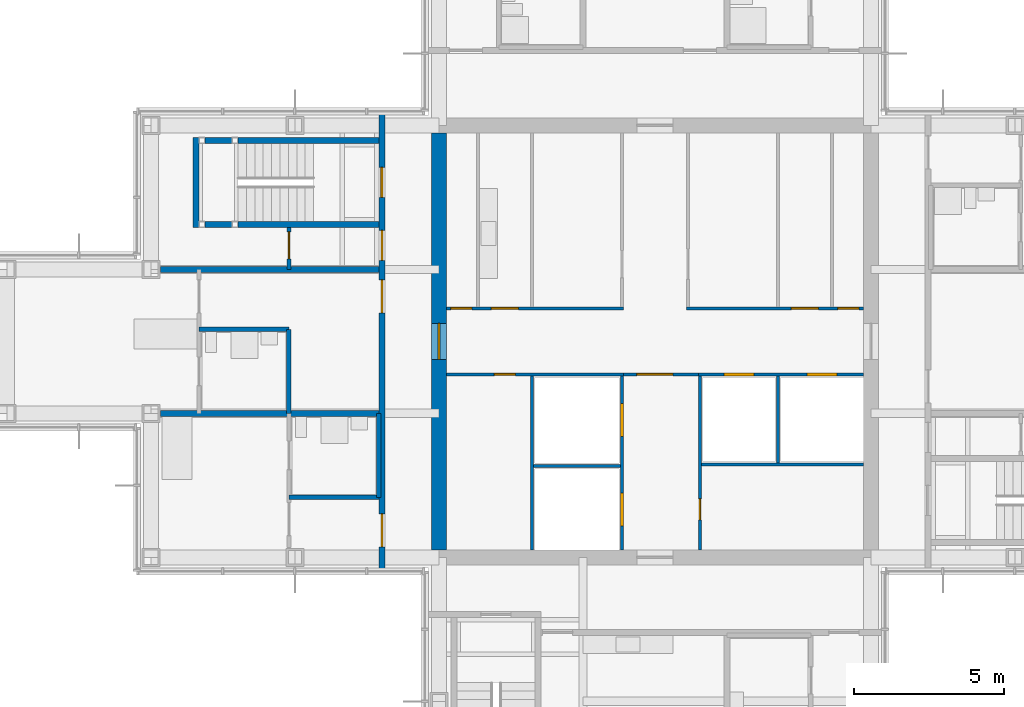
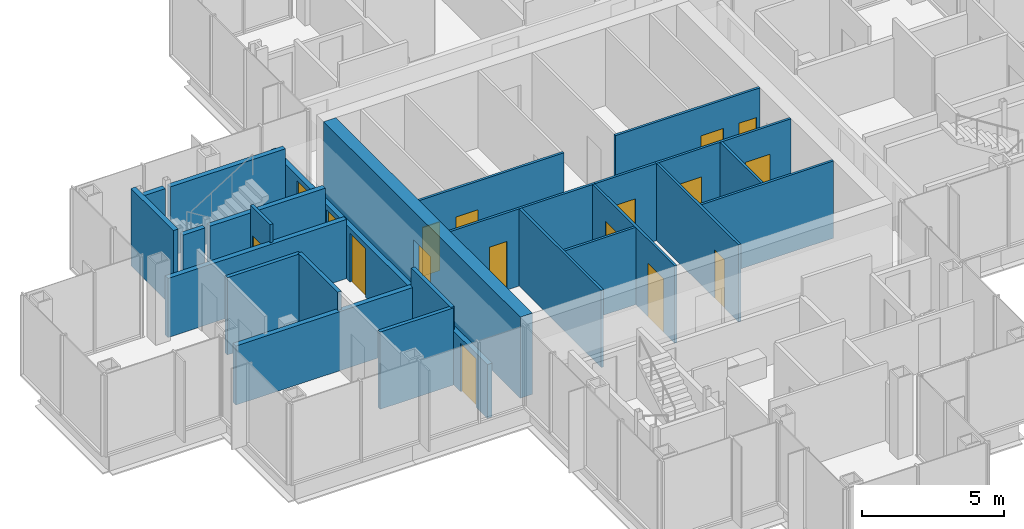
# One storey, part 12 of 17: 25 walls, 17 doors, 17 openings.
"""IFC4 building model written with IfcOpenShell, lengths in metres."""

from ifc_helpers import new_model, si_unit, direction, frame, frame_2d, origin, place, context, subcontext, project, spatial, rectangle, extrude, material, layer, layer_set, type_object, element, fill, save


model = new_model("IFC4")

# Units and contexts
model_context = context("Model", 3, precision=1e-05, world=origin(), true_north=direction((0.0, 1.0)))
body_context = subcontext(model_context, "Body", "Model", "MODEL_VIEW")
ifc_project = project(units=[si_unit("LENGTHUNIT", "METRE"), si_unit("AREAUNIT", "SQUARE_METRE"), si_unit("VOLUMEUNIT", "CUBIC_METRE"), si_unit("PLANEANGLEUNIT", "RADIAN"), si_unit("MASSUNIT", "GRAM", prefix="KILO")], contexts=[model_context])

# Site, building, storey
site_placement = place(None, origin())
site = spatial("IfcSite", under=ifc_project, at=site_placement, CompositionType="ELEMENT")
building_placement = place(site_placement, origin())
building = spatial("IfcBuilding", under=site, at=building_placement, Name="Kvirike Care Tower", CompositionType="ELEMENT")
storey_placement = place(building_placement, frame((0.0, 0.0, 151.5)))
storey = spatial("IfcBuildingStorey", under=building, at=storey_placement, Name="L41", CompositionType="ELEMENT", Elevation=151.5)

# Walls
ifc_material_1 = material(Name="Moisture-resistant board partition", Category="gypsum")
ifc_layer_1 = layer(ifc_material_1, 0.14990234375)
ifc_layer_set_1 = layer_set([ifc_layer_1], Name="BATHROOM WALL 150")
wall_type_1 = type_object("IfcWallType", Name="BATHROOM WALL 150", PredefinedType="PARTITIONING", material=ifc_layer_set_1)
wall_1_placement = place(storey_placement, frame((6.39990234375, 36.39990234375, 0.0), z_axis=(0.0, 0.0, 1.0), x_axis=(1.0, 0.0, 0.0)))
element("IfcWall", 1, at=wall_1_placement, inside=storey, type_object=wall_type_1, Name="Bathroom Wall 150 L41", PredefinedType="PARTITIONING", context=body_context, shape_type="SweptSolid", body=[
    extrude(rectangle(XDim=3.0, YDim=0.14990234375, at=frame_2d((1.5, 0.0))), origin(), (0.0, 0.0, 1.0), 3.330078125),
])
wall_2_placement = place(storey_placement, frame((9.39990234375, 36.39990234375, 0.0), z_axis=(0.0, 0.0, 1.0), x_axis=(0.0, -1.0, 0.0)))
element("IfcWall", 2, at=wall_2_placement, inside=storey, type_object=wall_type_1, Name="Bathroom Wall 150 L41", PredefinedType="PARTITIONING", context=body_context, shape_type="SweptSolid", body=[
    extrude(rectangle(XDim=2.7998046875, YDim=0.14990234375, at=frame_2d((1.39990234375, 0.0))), origin(), (0.0, 0.0, 1.0), 3.330078125),
])
wall_3_placement = place(storey_placement, frame((9.39990234375, 30.800048828125, 0.0), z_axis=(0.0, 0.0, 1.0), x_axis=(1.0, 0.0, 0.0)))
element("IfcWall", 3, at=wall_3_placement, inside=storey, type_object=wall_type_1, Name="Bathroom Wall 150 L41", PredefinedType="PARTITIONING", context=body_context, shape_type="SweptSolid", body=[
    extrude(rectangle(XDim=3.0, YDim=0.14990234375, at=frame_2d((1.5, 0.0))), origin(), (0.0, 0.0, 1.0), 3.330078125),
])
wall_4_placement = place(storey_placement, frame((12.39990234375, 33.60009765625, 0.0), z_axis=(0.0, 0.0, 1.0), x_axis=(0.0, -1.0, 0.0)))
element("IfcWall", 4, at=wall_4_placement, inside=storey, type_object=wall_type_1, Name="Bathroom Wall 150 L41", PredefinedType="PARTITIONING", context=body_context, shape_type="SweptSolid", body=[
    extrude(rectangle(XDim=2.800048828125, YDim=0.14990234375, at=frame_2d((1.39990234375, 0.0))), origin(), (0.0, 0.0, 1.0), 3.330078125),
])

# Wall, opening, door
ifc_material_2 = material(Name="Concrete C45/55", Category="concrete")
ifc_layer_2 = layer(ifc_material_2, 0.5)
ifc_layer_set_2 = layer_set([ifc_layer_2], Name="CORE WALL 500 C45-55")
wall_type_2 = type_object("IfcWallType", Name="CORE WALL 500 C45-55", PredefinedType="SHEAR", material=ifc_layer_set_2)
wall_5_placement = place(storey_placement, frame((14.39990234375, 42.949951171875, -0.169921875), z_axis=(0.0, 0.0, 1.0), x_axis=(0.0, -1.0, 0.0)))
wall_5 = element("IfcWall", 5, at=wall_5_placement, inside=storey, type_object=wall_type_2, Name="Core wall W L41", PredefinedType="SHEAR", context=body_context, shape_type="SweptSolid", body=[
    extrude(rectangle(XDim=13.89990234375, YDim=0.5, at=frame_2d((6.949951171875, 0.0))), origin(), (0.0, 0.0, 1.0), 3.5),
])
opening_1_placement = place(wall_5_placement, frame((6.35009765625, 0.0, 0.169921875)))
opening_1 = element("IfcOpeningElement", 6, at=opening_1_placement, cuts=wall_5, Name="Opening 41-049", PredefinedType="OPENING", context=body_context, shape_type="SweptSolid", body=[
    extrude(rectangle(XDim=1.199951171875, YDim=2.10009765625, at=frame_2d((0.60009765625, 1.050048828125))), frame((0.0, 0.260498046875, 0.0), z_axis=(0.0, -1.0, 0.0), x_axis=(1.0, 0.0, 0.0)), (0.0, 0.0, 1.0), 0.52099609375),
])
ifc_material_3 = material(Name="Timber door set", Category="wood")
door_type_1 = type_object("IfcDoorType", Name="CORE DOOR 1200", OperationType="SINGLE_SWING_LEFT", PredefinedType="DOOR", material=ifc_material_3)
door_1_placement = place(opening_1_placement, origin())
door_1 = element("IfcDoor", 7, at=door_1_placement, inside=storey, type_object=door_type_1, Name="Core door W L41", OperationType="SINGLE_SWING_LEFT", OverallHeight=2.10009765625, OverallWidth=1.199951171875, PredefinedType="DOOR", context=body_context, shape_type="SweptSolid", body=[
    extrude(rectangle(XDim=1.199951171875, YDim=2.10009765625, at=frame_2d((0.60009765625, 1.050048828125))), frame((0.0, 0.02685546875, 0.0), z_axis=(0.0, -1.0, 0.0), x_axis=(1.0, 0.0, 0.0)), (0.0, 0.0, 1.0), 0.053955078125),
])
fill(opening_1, door_1)

# Wall, openings, doors
ifc_material_4 = material(Name="Plasterboard corridor wall", Category="gypsum")
ifc_layer_3 = layer(ifc_material_4, 0.199951171875)
ifc_layer_set_3 = layer_set([ifc_layer_3], Name="CORRIDOR WALL 200")
wall_type_3 = type_object("IfcWallType", Name="CORRIDOR WALL 200", PredefinedType="PARTITIONING", material=ifc_layer_set_3)
wall_6_placement = place(storey_placement, frame((12.5, 43.64990234375, 0.0), z_axis=(0.0, 0.0, 1.0), x_axis=(0.0, -1.0, 0.0)))
wall_6 = element("IfcWall", 8, at=wall_6_placement, inside=storey, type_object=wall_type_3, Name="Corridor Wall 200 L41", PredefinedType="PARTITIONING", context=body_context, shape_type="SweptSolid", body=[
    extrude(rectangle(XDim=15.2998046875, YDim=0.199951171875, at=frame_2d((7.64990234375, 0.0))), origin(), (0.0, 0.0, 1.0), 2.320068359375),
])
opening_2_placement = place(wall_6_placement, frame((1.85009765625, 0.0, 0.0)))
opening_2 = element("IfcOpeningElement", 9, at=opening_2_placement, cuts=wall_6, Name="Opening 41-006", PredefinedType="OPENING", context=body_context, shape_type="SweptSolid", body=[
    extrude(rectangle(XDim=1.0, YDim=2.10009765625, at=frame_2d((0.5, 1.050048828125))), frame((0.0, 0.110595703125, 0.0), z_axis=(0.0, -1.0, 0.0), x_axis=(1.0, 0.0, 0.0)), (0.0, 0.0, 1.0), 0.220947265625),
])
opening_3_placement = place(wall_6_placement, frame((3.949951171875, 0.0, 0.0)))
opening_3 = element("IfcOpeningElement", 10, at=opening_3_placement, cuts=wall_6, Name="Opening 41-007", PredefinedType="OPENING", context=body_context, shape_type="SweptSolid", body=[
    extrude(rectangle(XDim=1.0, YDim=2.10009765625, at=frame_2d((0.5, 1.050048828125))), frame((0.0, 0.110595703125, 0.0), z_axis=(0.0, -1.0, 0.0), x_axis=(1.0, 0.0, 0.0)), (0.0, 0.0, 1.0), 0.220947265625),
])
opening_4_placement = place(wall_6_placement, frame((5.60009765625, 0.0, 0.0)))
opening_4 = element("IfcOpeningElement", 11, at=opening_4_placement, cuts=wall_6, Name="Opening 41-008", PredefinedType="OPENING", context=body_context, shape_type="SweptSolid", body=[
    extrude(rectangle(XDim=1.10009765625, YDim=2.10009765625, at=frame_2d((0.550048828125, 1.050048828125))), frame((0.0, 0.110595703125, 0.0), z_axis=(0.0, -1.0, 0.0), x_axis=(1.0, 0.0, 0.0)), (0.0, 0.0, 1.0), 0.220947265625),
])
opening_5_placement = place(wall_6_placement, frame((13.39990234375, 0.0, 0.0)))
opening_5 = element("IfcOpeningElement", 12, at=opening_5_placement, cuts=wall_6, Name="Opening 41-009", PredefinedType="OPENING", context=body_context, shape_type="SweptSolid", body=[
    extrude(rectangle(XDim=1.10009765625, YDim=2.10009765625, at=frame_2d((0.550048828125, 1.050048828125))), frame((0.0, 0.110595703125, 0.0), z_axis=(0.0, -1.0, 0.0), x_axis=(1.0, 0.0, 0.0)), (0.0, 0.0, 1.0), 0.220947265625),
])
ifc_material_5 = material(Name="Timber door set", Category="wood")
door_type_2 = type_object("IfcDoorType", Name="BEDROOM ENTRANCE DOOR 1100", OperationType="SINGLE_SWING_LEFT", PredefinedType="DOOR", material=ifc_material_5)
door_2_placement = place(opening_4_placement, frame((1.10009765625, 0.0, 0.0), z_axis=(0.0, 0.0, 1.0), x_axis=(-1.0, 0.0, 0.0)))
door_2 = element("IfcDoor", 13, at=door_2_placement, inside=storey, type_object=door_type_2, Name="Memory care bedroom entrance", OperationType="SINGLE_SWING_LEFT", OverallHeight=2.10009765625, OverallWidth=1.10009765625, PredefinedType="DOOR", context=body_context, shape_type="SweptSolid", body=[
    extrude(rectangle(XDim=1.10009765625, YDim=2.10009765625, at=frame_2d((0.550048828125, 1.050048828125))), frame((0.0, 0.02685546875, 0.0), z_axis=(0.0, -1.0, 0.0), x_axis=(1.0, 0.0, 0.0)), (0.0, 0.0, 1.0), 0.053955078125),
])
fill(opening_4, door_2)
door_3_placement = place(opening_5_placement, frame((1.10009765625, 0.0, 0.0), z_axis=(0.0, 0.0, 1.0), x_axis=(-1.0, 0.0, 0.0)))
door_3 = element("IfcDoor", 14, at=door_3_placement, inside=storey, type_object=door_type_2, Name="Memory care bedroom entrance", OperationType="SINGLE_SWING_RIGHT", OverallHeight=2.10009765625, OverallWidth=1.10009765625, PredefinedType="DOOR", context=body_context, shape_type="SweptSolid", body=[
    extrude(rectangle(XDim=1.10009765625, YDim=2.10009765625, at=frame_2d((0.550048828125, 1.050048828125))), frame((0.0, 0.02685546875, 0.0), z_axis=(0.0, -1.0, 0.0), x_axis=(1.0, 0.0, 0.0)), (0.0, 0.0, 1.0), 0.053955078125),
])
fill(opening_5, door_3)
ifc_material_6 = material(Name="Timber door set", Category="wood")
door_type_3 = type_object("IfcDoorType", Name="FLAT ENTRANCE DOOR 1000", OperationType="SINGLE_SWING_LEFT", PredefinedType="DOOR", material=ifc_material_6)
door_4_placement = place(opening_3_placement, frame((1.0, 0.0, 0.0), z_axis=(0.0, 0.0, 1.0), x_axis=(-1.0, 0.0, 0.0)))
door_4 = element("IfcDoor", 15, at=door_4_placement, inside=storey, type_object=door_type_3, Name="Activity room entrance", OperationType="SINGLE_SWING_LEFT", OverallHeight=2.10009765625, OverallWidth=1.0, PredefinedType="DOOR", context=body_context, shape_type="SweptSolid", body=[
    extrude(rectangle(XDim=1.0, YDim=2.10009765625, at=frame_2d((0.5, 1.050048828125))), frame((0.0, 0.02685546875, 0.0), z_axis=(0.0, -1.0, 0.0), x_axis=(1.0, 0.0, 0.0)), (0.0, 0.0, 1.0), 0.053955078125),
])
fill(opening_3, door_4)
ifc_material_7 = material(Name="Timber door set", Category="wood")
door_type_4 = type_object("IfcDoorType", Name="STAIR DOOR 1000", OperationType="SINGLE_SWING_LEFT", PredefinedType="DOOR", material=ifc_material_7)
door_5_placement = place(opening_2_placement, frame((1.0, 0.0, 0.0), z_axis=(0.0, 0.0, 1.0), x_axis=(-1.0, 0.0, 0.0)))
door_5 = element("IfcDoor", 16, at=door_5_placement, inside=storey, type_object=door_type_4, Name="Stair 1 door", OperationType="SINGLE_SWING_RIGHT", OverallHeight=2.10009765625, OverallWidth=1.0, PredefinedType="DOOR", context=body_context, shape_type="SweptSolid", body=[
    extrude(rectangle(XDim=1.0, YDim=2.10009765625, at=frame_2d((0.5, 1.050048828125))), frame((0.0, 0.031982421875, 0.0), z_axis=(0.0, -1.0, 0.0), x_axis=(1.0, 0.0, 0.0)), (0.0, 0.0, 1.0), 0.06396484375),
])
fill(opening_2, door_5)

# Wall, opening, door
ifc_material_8 = material(Name="Plasterboard partition", Category="gypsum")
ifc_layer_4 = layer(ifc_material_8, 0.1201171875)
ifc_layer_set_4 = layer_set([ifc_layer_4], Name="PARTITION 120")
wall_type_4 = type_object("IfcWallType", Name="PARTITION 120", PredefinedType="PARTITIONING", material=ifc_layer_set_4)
wall_7_placement = place(storey_placement, frame((9.39990234375, 39.800048828125, 0.0), z_axis=(0.0, 0.0, 1.0), x_axis=(0.0, -1.0, 0.0)))
wall_7 = element("IfcWall", 17, at=wall_7_placement, inside=storey, type_object=wall_type_4, Name="Partition 120 L41", PredefinedType="PARTITIONING", context=body_context, shape_type="SweptSolid", body=[
    extrude(rectangle(XDim=1.400146484375, YDim=0.1201171875, at=frame_2d((0.7001953125, 0.0))), origin(), (0.0, 0.0, 1.0), 3.330078125),
])
opening_6_placement = place(wall_7_placement, frame((0.14990234375, 0.0, 0.0)))
opening_6 = element("IfcOpeningElement", 18, at=opening_6_placement, cuts=wall_7, Name="Opening 41-001", PredefinedType="OPENING", context=body_context, shape_type="SweptSolid", body=[
    extrude(rectangle(XDim=0.89990234375, YDim=2.10009765625, at=frame_2d((0.449951171875, 1.050048828125))), frame((0.0, 0.070556640625, 0.0), z_axis=(0.0, -1.0, 0.0), x_axis=(1.0, 0.0, 0.0)), (0.0, 0.0, 1.0), 0.14111328125),
])
ifc_material_9 = material(Name="Timber door set", Category="wood")
door_type_5 = type_object("IfcDoorType", Name="INTERNAL DOOR 900", OperationType="SINGLE_SWING_LEFT", PredefinedType="DOOR", material=ifc_material_9)
door_6_placement = place(opening_6_placement, origin())
door_6 = element("IfcDoor", 19, at=door_6_placement, inside=storey, type_object=door_type_5, Name="Activity room door", OperationType="SINGLE_SWING_RIGHT", OverallHeight=2.10009765625, OverallWidth=0.89990234375, PredefinedType="DOOR", context=body_context, shape_type="SweptSolid", body=[
    extrude(rectangle(XDim=0.89990234375, YDim=2.10009765625, at=frame_2d((0.449951171875, 1.050048828125))), frame((0.0, 0.02197265625, 0.0), z_axis=(0.0, -1.0, 0.0), x_axis=(1.0, 0.0, 0.0)), (0.0, 0.0, 1.0), 0.0439453125),
])
fill(opening_6, door_6)

# Walls
ifc_material_10 = material(Name="Plasterboard party wall", Category="gypsum")
ifc_layer_5 = layer(ifc_material_10, 0.199951171875)
ifc_layer_set_5 = layer_set([ifc_layer_5], Name="PARTY WALL 200")
wall_type_5 = type_object("IfcWallType", Name="PARTY WALL 200", PredefinedType="PARTITIONING", material=ifc_layer_set_5)
for number, where, z_axis, x_axis, name in (
    (20, (5.1201171875, 38.39990234375, 0.0), (0.0, 0.0, 1.0), (1.0, 0.0, 0.0), "Party Wall 200 L41"),
    (21, (5.1201171875, 33.60009765625, 0.0), (0.0, 0.0, 1.0), (1.0, 0.0, 0.0), "Party Wall 200 L41"),
):
    element("IfcWall", number, at=place(storey_placement, frame(where, z_axis=z_axis, x_axis=x_axis)), inside=storey, type_object=wall_type_5, Name=name, PredefinedType="PARTITIONING", context=body_context, shape_type="SweptSolid", body=[
        extrude(rectangle(XDim=7.27978515625, YDim=0.199951171875, at=frame_2d((3.639892578125, 0.0))), origin(), (0.0, 0.0, 1.0), 2.550048828125),
    ])

# Wall, openings, doors
ifc_material_11 = material(Name="Gypsum shaft wall system", Category="gypsum")
ifc_layer_6 = layer(ifc_material_11, 0.10009765625)
ifc_layer_set_6 = layer_set([ifc_layer_6], Name="SHAFT WALL 100")
wall_type_6 = type_object("IfcWallType", Name="SHAFT WALL 100", PredefinedType="SOLIDWALL", material=ifc_layer_set_6)
wall_8_placement = place(storey_placement, frame((20.5, 29.050048828125, 0.0), z_axis=(0.0, 0.0, 1.0), x_axis=(0.0, 1.0, 0.0)))
wall_8 = element("IfcWall", 22, at=wall_8_placement, inside=storey, type_object=wall_type_6, Name="Shaft Wall 100 L41", PredefinedType="SOLIDWALL", context=body_context, shape_type="SweptSolid", body=[
    extrude(rectangle(XDim=5.800048828125, YDim=0.10009765625, at=frame_2d((2.89990234375, 0.0))), origin(), (0.0, 0.0, 1.0), 3.330078125),
])
opening_7_placement = place(wall_8_placement, frame((0.800048828125, 0.0, 0.0)))
opening_7 = element("IfcOpeningElement", 23, at=opening_7_placement, cuts=wall_8, Name="Opening 41-035", PredefinedType="OPENING", context=body_context, shape_type="SweptSolid", body=[
    extrude(rectangle(XDim=1.10009765625, YDim=2.300048828125, at=frame_2d((0.550048828125, 1.14990234375))), frame((0.0, 0.060546875, 0.0), z_axis=(0.0, -1.0, 0.0), x_axis=(1.0, 0.0, 0.0)), (0.0, 0.0, 1.0), 0.12109375),
])
opening_8_placement = place(wall_8_placement, frame((3.77490234375, 0.0, 0.0)))
opening_8 = element("IfcOpeningElement", 24, at=opening_8_placement, cuts=wall_8, Name="Opening 41-036", PredefinedType="OPENING", context=body_context, shape_type="SweptSolid", body=[
    extrude(rectangle(XDim=1.10009765625, YDim=2.300048828125, at=frame_2d((0.550048828125, 1.14990234375))), frame((0.0, 0.060546875, 0.0), z_axis=(0.0, -1.0, 0.0), x_axis=(1.0, 0.0, 0.0)), (0.0, 0.0, 1.0), 0.12109375),
])
ifc_material_12 = material(Name="Aluminium door frame", Category="aluminium")
door_type_6 = type_object("IfcDoorType", Name="FIRE-FIGHTING LIFT LANDING DOOR 1100", OperationType="SLIDING_TO_LEFT", PredefinedType="DOOR", material=ifc_material_12)
door_7_placement = place(opening_7_placement, origin())
door_7 = element("IfcDoor", 25, at=door_7_placement, inside=storey, type_object=door_type_6, Name="Lift FF1 landing door", OperationType="SLIDING_TO_LEFT", OverallHeight=2.300048828125, OverallWidth=1.10009765625, PredefinedType="DOOR", context=body_context, shape_type="SweptSolid", body=[
    extrude(rectangle(XDim=1.10009765625, YDim=2.300048828125, at=frame_2d((0.550048828125, 1.14990234375))), frame((0.0, 0.0498046875, 0.0), z_axis=(0.0, -1.0, 0.0), x_axis=(1.0, 0.0, 0.0)), (0.0, 0.0, 1.0), 0.099609375),
])
fill(opening_7, door_7)
door_8_placement = place(opening_8_placement, origin())
door_8 = element("IfcDoor", 26, at=door_8_placement, inside=storey, type_object=door_type_6, Name="Lift FF2 landing door", OperationType="SLIDING_TO_LEFT", OverallHeight=2.300048828125, OverallWidth=1.10009765625, PredefinedType="DOOR", context=body_context, shape_type="SweptSolid", body=[
    extrude(rectangle(XDim=1.10009765625, YDim=2.300048828125, at=frame_2d((0.550048828125, 1.14990234375))), frame((0.0, 0.0498046875, 0.0), z_axis=(0.0, -1.0, 0.0), x_axis=(1.0, 0.0, 0.0)), (0.0, 0.0, 1.0), 0.099609375),
])
fill(opening_8, door_8)

# Wall, opening, door
wall_9_placement = place(storey_placement, frame((23.10009765625, 29.050048828125, 0.0), z_axis=(0.0, 0.0, 1.0), x_axis=(0.0, 1.0, 0.0)))
wall_9 = element("IfcWall", 27, at=wall_9_placement, inside=storey, type_object=wall_type_6, Name="Shaft Wall 100 L41", PredefinedType="SOLIDWALL", context=body_context, shape_type="SweptSolid", body=[
    extrude(rectangle(XDim=5.800048828125, YDim=0.10009765625, at=frame_2d((2.89990234375, 0.0))), origin(), (0.0, 0.0, 1.0), 3.330078125),
])
opening_9_placement = place(wall_9_placement, frame((1.0, 0.0, 0.0)))
opening_9 = element("IfcOpeningElement", 28, at=opening_9_placement, cuts=wall_9, Name="Opening 41-039", PredefinedType="OPENING", context=body_context, shape_type="SweptSolid", body=[
    extrude(rectangle(XDim=0.699951171875, YDim=2.10009765625, at=frame_2d((0.35009765625, 1.050048828125))), frame((0.0, 0.060546875, 0.0), z_axis=(0.0, -1.0, 0.0), x_axis=(1.0, 0.0, 0.0)), (0.0, 0.0, 1.0), 0.12109375),
])
ifc_material_13 = material(Name="Timber door set", Category="wood")
door_type_7 = type_object("IfcDoorType", Name="RISER DOOR 700", OperationType="SINGLE_SWING_LEFT", PredefinedType="DOOR", material=ifc_material_13)
door_9_placement = place(opening_9_placement, origin())
door_9 = element("IfcDoor", 29, at=door_9_placement, inside=storey, type_object=door_type_7, Name="Riser door", OperationType="SINGLE_SWING_RIGHT", OverallHeight=2.10009765625, OverallWidth=0.699951171875, PredefinedType="DOOR", context=body_context, shape_type="SweptSolid", body=[
    extrude(rectangle(XDim=0.699951171875, YDim=2.10009765625, at=frame_2d((0.35009765625, 1.050048828125))), frame((0.0, 0.02685546875, 0.0), z_axis=(0.0, -1.0, 0.0), x_axis=(1.0, 0.0, 0.0)), (0.0, 0.0, 1.0), 0.053955078125),
])
fill(opening_9, door_9)

wall_10_placement = place(storey_placement, frame((14.64990234375, 34.89990234375, 0.0), z_axis=(0.0, 0.0, 1.0), x_axis=(1.0, 0.0, 0.0)))
wall_10 = element("IfcWall", 30, at=wall_10_placement, inside=storey, type_object=wall_type_6, Name="Shaft Wall 100 L41", PredefinedType="SOLIDWALL", context=body_context, shape_type="SweptSolid", body=[
    extrude(rectangle(XDim=5.900146484375, YDim=0.10009765625, at=frame_2d((2.9501953125, 0.0))), origin(), (0.0, 0.0, 1.0), 3.330078125),
])
opening_10_placement = place(wall_10_placement, frame((1.60009765625, 0.0, 0.0)))
opening_10 = element("IfcOpeningElement", 31, at=opening_10_placement, cuts=wall_10, Name="Opening 41-040", PredefinedType="OPENING", context=body_context, shape_type="SweptSolid", body=[
    extrude(rectangle(XDim=0.699951171875, YDim=2.10009765625, at=frame_2d((0.35009765625, 1.050048828125))), frame((0.0, 0.060546875, 0.0), z_axis=(0.0, -1.0, 0.0), x_axis=(1.0, 0.0, 0.0)), (0.0, 0.0, 1.0), 0.12109375),
])
door_10_placement = place(opening_10_placement, frame((0.699951171875, 0.0, 0.0), z_axis=(0.0, 0.0, 1.0), x_axis=(-1.0, 0.0, 0.0)))
door_10 = element("IfcDoor", 32, at=door_10_placement, inside=storey, type_object=door_type_7, Name="Riser door", OperationType="SINGLE_SWING_RIGHT", OverallHeight=2.10009765625, OverallWidth=0.699951171875, PredefinedType="DOOR", context=body_context, shape_type="SweptSolid", body=[
    extrude(rectangle(XDim=0.699951171875, YDim=2.10009765625, at=frame_2d((0.35009765625, 1.050048828125))), frame((0.0, 0.02685546875, 0.0), z_axis=(0.0, -1.0, 0.0), x_axis=(1.0, 0.0, 0.0)), (0.0, 0.0, 1.0), 0.053955078125),
])
fill(opening_10, door_10)

# Wall, openings, doors
wall_11_placement = place(storey_placement, frame((23.050048828125, 34.89990234375, 0.0), z_axis=(0.0, 0.0, 1.0), x_axis=(1.0, 0.0, 0.0)))
wall_11 = element("IfcWall", 33, at=wall_11_placement, inside=storey, type_object=wall_type_6, Name="Shaft Wall 100 L41", PredefinedType="SOLIDWALL", context=body_context, shape_type="SweptSolid", body=[
    extrude(rectangle(XDim=5.5, YDim=0.10009765625, at=frame_2d((2.75, 0.0))), origin(), (0.0, 0.0, 1.0), 3.330078125),
])
opening_11_placement = place(wall_11_placement, frame((0.85009765625, 0.0, 0.0)))
opening_11 = element("IfcOpeningElement", 34, at=opening_11_placement, cuts=wall_11, Name="Opening 41-041", PredefinedType="OPENING", context=body_context, shape_type="SweptSolid", body=[
    extrude(rectangle(XDim=1.0, YDim=2.10009765625, at=frame_2d((0.5, 1.050048828125))), frame((0.0, 0.060546875, 0.0), z_axis=(0.0, -1.0, 0.0), x_axis=(1.0, 0.0, 0.0)), (0.0, 0.0, 1.0), 0.12109375),
])
opening_12_placement = place(wall_11_placement, frame((3.625, 0.0, 0.0)))
opening_12 = element("IfcOpeningElement", 35, at=opening_12_placement, cuts=wall_11, Name="Opening 41-042", PredefinedType="OPENING", context=body_context, shape_type="SweptSolid", body=[
    extrude(rectangle(XDim=1.0, YDim=2.10009765625, at=frame_2d((0.5, 1.050048828125))), frame((0.0, 0.060546875, 0.0), z_axis=(0.0, -1.0, 0.0), x_axis=(1.0, 0.0, 0.0)), (0.0, 0.0, 1.0), 0.12109375),
])
ifc_material_14 = material(Name="Aluminium door frame", Category="aluminium")
door_type_8 = type_object("IfcDoorType", Name="LIFT LANDING DOOR 1000", OperationType="SLIDING_TO_LEFT", PredefinedType="DOOR", material=ifc_material_14)
door_11_placement = place(opening_11_placement, origin())
door_11 = element("IfcDoor", 36, at=door_11_placement, inside=storey, type_object=door_type_8, Name="Lift P5 landing door", OperationType="SLIDING_TO_LEFT", OverallHeight=2.10009765625, OverallWidth=1.0, PredefinedType="DOOR", context=body_context, shape_type="SweptSolid", body=[
    extrude(rectangle(XDim=1.0, YDim=2.10009765625, at=frame_2d((0.5, 1.050048828125))), frame((0.0, 0.0498046875, 0.0), z_axis=(0.0, -1.0, 0.0), x_axis=(1.0, 0.0, 0.0)), (0.0, 0.0, 1.0), 0.099609375),
])
fill(opening_11, door_11)
door_12_placement = place(opening_12_placement, origin())
door_12 = element("IfcDoor", 37, at=door_12_placement, inside=storey, type_object=door_type_8, Name="Lift P6 landing door", OperationType="SLIDING_TO_LEFT", OverallHeight=2.10009765625, OverallWidth=1.0, PredefinedType="DOOR", context=body_context, shape_type="SweptSolid", body=[
    extrude(rectangle(XDim=1.0, YDim=2.10009765625, at=frame_2d((0.5, 1.050048828125))), frame((0.0, 0.0498046875, 0.0), z_axis=(0.0, -1.0, 0.0), x_axis=(1.0, 0.0, 0.0)), (0.0, 0.0, 1.0), 0.099609375),
])
fill(opening_12, door_12)

wall_12_placement = place(storey_placement, frame((14.64990234375, 37.10009765625, 0.0), z_axis=(0.0, 0.0, 1.0), x_axis=(1.0, 0.0, 0.0)))
wall_12 = element("IfcWall", 38, at=wall_12_placement, inside=storey, type_object=wall_type_6, Name="Shaft Wall 100 L41", PredefinedType="SOLIDWALL", context=body_context, shape_type="SweptSolid", body=[
    extrude(rectangle(XDim=5.900146484375, YDim=0.10009765625, at=frame_2d((2.9501953125, 0.0))), origin(), (0.0, 0.0, 1.0), 3.330078125),
])
opening_13_placement = place(wall_12_placement, frame((0.14990234375, 0.0, 0.0)))
opening_13 = element("IfcOpeningElement", 39, at=opening_13_placement, cuts=wall_12, Name="Opening 41-043", PredefinedType="OPENING", context=body_context, shape_type="SweptSolid", body=[
    extrude(rectangle(XDim=0.699951171875, YDim=2.10009765625, at=frame_2d((0.35009765625, 1.050048828125))), frame((0.0, 0.060546875, 0.0), z_axis=(0.0, -1.0, 0.0), x_axis=(1.0, 0.0, 0.0)), (0.0, 0.0, 1.0), 0.12109375),
])
opening_14_placement = place(wall_12_placement, frame((1.5, 0.0, 0.0)))
opening_14 = element("IfcOpeningElement", 40, at=opening_14_placement, cuts=wall_12, Name="Opening 41-044", PredefinedType="OPENING", context=body_context, shape_type="SweptSolid", body=[
    extrude(rectangle(XDim=0.89990234375, YDim=2.10009765625, at=frame_2d((0.449951171875, 1.050048828125))), frame((0.0, 0.060546875, 0.0), z_axis=(0.0, -1.0, 0.0), x_axis=(1.0, 0.0, 0.0)), (0.0, 0.0, 1.0), 0.12109375),
])
door_13_placement = place(opening_13_placement, origin())
door_13 = element("IfcDoor", 41, at=door_13_placement, inside=storey, type_object=door_type_7, Name="Riser door", OperationType="SINGLE_SWING_LEFT", OverallHeight=2.10009765625, OverallWidth=0.699951171875, PredefinedType="DOOR", context=body_context, shape_type="SweptSolid", body=[
    extrude(rectangle(XDim=0.699951171875, YDim=2.10009765625, at=frame_2d((0.35009765625, 1.050048828125))), frame((0.0, 0.02685546875, 0.0), z_axis=(0.0, -1.0, 0.0), x_axis=(1.0, 0.0, 0.0)), (0.0, 0.0, 1.0), 0.053955078125),
])
fill(opening_13, door_13)
ifc_material_15 = material(Name="Timber door set", Category="wood")
door_type_9 = type_object("IfcDoorType", Name="STORE DOOR 900", OperationType="SINGLE_SWING_LEFT", PredefinedType="DOOR", material=ifc_material_15)
door_14_placement = place(opening_14_placement, origin())
door_14 = element("IfcDoor", 42, at=door_14_placement, inside=storey, type_object=door_type_9, Name="Resident pantry door", OperationType="SINGLE_SWING_LEFT", OverallHeight=2.10009765625, OverallWidth=0.89990234375, PredefinedType="DOOR", context=body_context, shape_type="SweptSolid", body=[
    extrude(rectangle(XDim=0.89990234375, YDim=2.10009765625, at=frame_2d((0.449951171875, 1.050048828125))), frame((0.0, 0.02685546875, 0.0), z_axis=(0.0, -1.0, 0.0), x_axis=(1.0, 0.0, 0.0)), (0.0, 0.0, 1.0), 0.053955078125),
])
fill(opening_14, door_14)

wall_13_placement = place(storey_placement, frame((22.64990234375, 37.10009765625, 0.0), z_axis=(0.0, 0.0, 1.0), x_axis=(1.0, 0.0, 0.0)))
wall_13 = element("IfcWall", 43, at=wall_13_placement, inside=storey, type_object=wall_type_6, Name="Shaft Wall 100 L41", PredefinedType="SOLIDWALL", context=body_context, shape_type="SweptSolid", body=[
    extrude(rectangle(XDim=5.900146484375, YDim=0.10009765625, at=frame_2d((2.9501953125, 0.0))), origin(), (0.0, 0.0, 1.0), 3.330078125),
])
opening_15_placement = place(wall_13_placement, frame((3.5, 0.0, 0.0)))
opening_15 = element("IfcOpeningElement", 44, at=opening_15_placement, cuts=wall_13, Name="Opening 41-045", PredefinedType="OPENING", context=body_context, shape_type="SweptSolid", body=[
    extrude(rectangle(XDim=0.89990234375, YDim=2.10009765625, at=frame_2d((0.449951171875, 1.050048828125))), frame((0.0, 0.060546875, 0.0), z_axis=(0.0, -1.0, 0.0), x_axis=(1.0, 0.0, 0.0)), (0.0, 0.0, 1.0), 0.12109375),
])
opening_16_placement = place(wall_13_placement, frame((5.050048828125, 0.0, 0.0)))
opening_16 = element("IfcOpeningElement", 45, at=opening_16_placement, cuts=wall_13, Name="Opening 41-046", PredefinedType="OPENING", context=body_context, shape_type="SweptSolid", body=[
    extrude(rectangle(XDim=0.699951171875, YDim=2.10009765625, at=frame_2d((0.35009765625, 1.050048828125))), frame((0.0, 0.060546875, 0.0), z_axis=(0.0, -1.0, 0.0), x_axis=(1.0, 0.0, 0.0)), (0.0, 0.0, 1.0), 0.12109375),
])
door_15_placement = place(opening_16_placement, origin())
door_15 = element("IfcDoor", 46, at=door_15_placement, inside=storey, type_object=door_type_7, Name="Riser door", OperationType="SINGLE_SWING_RIGHT", OverallHeight=2.10009765625, OverallWidth=0.699951171875, PredefinedType="DOOR", context=body_context, shape_type="SweptSolid", body=[
    extrude(rectangle(XDim=0.699951171875, YDim=2.10009765625, at=frame_2d((0.35009765625, 1.050048828125))), frame((0.0, 0.02685546875, 0.0), z_axis=(0.0, -1.0, 0.0), x_axis=(1.0, 0.0, 0.0)), (0.0, 0.0, 1.0), 0.053955078125),
])
fill(opening_16, door_15)
door_16_placement = place(opening_15_placement, origin())
door_16 = element("IfcDoor", 47, at=door_16_placement, inside=storey, type_object=door_type_9, Name="Cleaners store door", OperationType="SINGLE_SWING_LEFT", OverallHeight=2.10009765625, OverallWidth=0.89990234375, PredefinedType="DOOR", context=body_context, shape_type="SweptSolid", body=[
    extrude(rectangle(XDim=0.89990234375, YDim=2.10009765625, at=frame_2d((0.449951171875, 1.050048828125))), frame((0.0, 0.02685546875, 0.0), z_axis=(0.0, -1.0, 0.0), x_axis=(1.0, 0.0, 0.0)), (0.0, 0.0, 1.0), 0.053955078125),
])
fill(opening_15, door_16)

# Wall, opening, door
wall_14_placement = place(storey_placement, frame((20.550048828125, 34.89990234375, 0.0), z_axis=(0.0, 0.0, 1.0), x_axis=(1.0, 0.0, 0.0)))
wall_14 = element("IfcWall", 48, at=wall_14_placement, inside=storey, type_object=wall_type_6, Name="Shaft Wall 100 L41", PredefinedType="SOLIDWALL", context=body_context, shape_type="SweptSolid", body=[
    extrude(rectangle(XDim=2.5, YDim=0.10009765625, at=frame_2d((1.25, 0.0))), origin(), (0.0, 0.0, 1.0), 3.330078125),
])
opening_17_placement = place(wall_14_placement, frame((0.449951171875, 0.0, 0.0)))
opening_17 = element("IfcOpeningElement", 49, at=opening_17_placement, cuts=wall_14, Name="Opening 41-047", PredefinedType="OPENING", context=body_context, shape_type="SweptSolid", body=[
    extrude(rectangle(XDim=1.199951171875, YDim=2.10009765625, at=frame_2d((0.60009765625, 1.050048828125))), frame((0.0, 0.060546875, 0.0), z_axis=(0.0, -1.0, 0.0), x_axis=(1.0, 0.0, 0.0)), (0.0, 0.0, 1.0), 0.12109375),
])
door_17_placement = place(opening_17_placement, frame((1.199951171875, 0.0, 0.0), z_axis=(0.0, 0.0, 1.0), x_axis=(-1.0, 0.0, 0.0)))
door_17 = element("IfcDoor", 50, at=door_17_placement, inside=storey, type_object=door_type_1, Name="Fire-fighting lobby door", OperationType="SINGLE_SWING_LEFT", OverallHeight=2.10009765625, OverallWidth=1.199951171875, PredefinedType="DOOR", context=body_context, shape_type="SweptSolid", body=[
    extrude(rectangle(XDim=1.199951171875, YDim=2.10009765625, at=frame_2d((0.60009765625, 1.050048828125))), frame((0.0, 0.02685546875, 0.0), z_axis=(0.0, -1.0, 0.0), x_axis=(1.0, 0.0, 0.0)), (0.0, 0.0, 1.0), 0.053955078125),
])
fill(opening_17, door_17)

# Walls
wall_15_placement = place(storey_placement, frame((17.5, 29.050048828125, 0.0), z_axis=(0.0, 0.0, 1.0), x_axis=(0.0, 1.0, 0.0)))
element("IfcWall", 51, at=wall_15_placement, inside=storey, type_object=wall_type_6, Name="Shaft Wall 100 L41", PredefinedType="SOLIDWALL", context=body_context, shape_type="SweptSolid", body=[
    extrude(rectangle(XDim=5.800048828125, YDim=0.10009765625, at=frame_2d((2.89990234375, 0.0))), origin(), (0.0, 0.0, 1.0), 3.330078125),
])
wall_16_placement = place(storey_placement, frame((17.550048828125, 31.85009765625, 0.0), z_axis=(0.0, 0.0, 1.0), x_axis=(1.0, 0.0, 0.0)))
element("IfcWall", 52, at=wall_16_placement, inside=storey, type_object=wall_type_6, Name="Shaft Wall 100 L41", PredefinedType="SOLIDWALL", context=body_context, shape_type="SweptSolid", body=[
    extrude(rectangle(XDim=2.89990234375, YDim=0.10009765625, at=frame_2d((1.449951171875, 0.0))), origin(), (0.0, 0.0, 1.0), 3.330078125),
])
wall_17_placement = place(storey_placement, frame((25.699951171875, 31.949951171875, 0.0), z_axis=(0.0, 0.0, 1.0), x_axis=(0.0, 1.0, 0.0)))
element("IfcWall", 53, at=wall_17_placement, inside=storey, type_object=wall_type_6, Name="Shaft Wall 100 L41", PredefinedType="SOLIDWALL", context=body_context, shape_type="SweptSolid", body=[
    extrude(rectangle(XDim=2.900146484375, YDim=0.10009765625, at=frame_2d((1.4501953125, 0.0))), origin(), (0.0, 0.0, 1.0), 3.330078125),
])
wall_18_placement = place(storey_placement, frame((23.14990234375, 31.89990234375, 0.0), z_axis=(0.0, 0.0, 1.0), x_axis=(1.0, 0.0, 0.0)))
element("IfcWall", 54, at=wall_18_placement, inside=storey, type_object=wall_type_6, Name="Shaft Wall 100 L41", PredefinedType="SOLIDWALL", context=body_context, shape_type="SweptSolid", body=[
    extrude(rectangle(XDim=5.400146484375, YDim=0.10009765625, at=frame_2d((2.7001953125, 0.0))), origin(), (0.0, 0.0, 1.0), 3.330078125),
])
ifc_material_16 = material(Name="Concrete C40/50", Category="concrete")
ifc_layer_7 = layer(ifc_material_16, 0.199951171875)
ifc_layer_set_7 = layer_set([ifc_layer_7], Name="STAIR WALL 200")
wall_type_7 = type_object("IfcWallType", Name="STAIR WALL 200", PredefinedType="SOLIDWALL", material=ifc_layer_set_7)
wall_19_placement = place(storey_placement, frame((6.60009765625, 42.699951171875, 0.0), z_axis=(0.0, 0.0, 1.0), x_axis=(1.0, 0.0, 0.0)))
element("IfcWall", 55, at=wall_19_placement, inside=storey, type_object=wall_type_7, Name="Stair Wall 200 L41", PredefinedType="SOLIDWALL", context=body_context, shape_type="SweptSolid", body=[
    extrude(rectangle(XDim=0.89990234375, YDim=0.199951171875, at=frame_2d((0.449951171875, 0.0))), origin(), (0.0, 0.0, 1.0), 2.989990234375),
])
wall_20_placement = place(storey_placement, frame((7.699951171875, 42.699951171875, 0.0), z_axis=(0.0, 0.0, 1.0), x_axis=(1.0, 0.0, 0.0)))
element("IfcWall", 56, at=wall_20_placement, inside=storey, type_object=wall_type_7, Name="Stair Wall 200 L41", PredefinedType="SOLIDWALL", context=body_context, shape_type="SweptSolid", body=[
    extrude(rectangle(XDim=4.699951171875, YDim=0.199951171875, at=frame_2d((2.35009765625, 0.0))), origin(), (0.0, 0.0, 1.0), 2.989990234375),
])
wall_21_placement = place(storey_placement, frame((6.60009765625, 39.89990234375, 0.0), z_axis=(0.0, 0.0, 1.0), x_axis=(1.0, 0.0, 0.0)))
element("IfcWall", 57, at=wall_21_placement, inside=storey, type_object=wall_type_7, Name="Stair Wall 200 L41", PredefinedType="SOLIDWALL", context=body_context, shape_type="SweptSolid", body=[
    extrude(rectangle(XDim=0.89990234375, YDim=0.199951171875, at=frame_2d((0.449951171875, 0.0))), origin(), (0.0, 0.0, 1.0), 2.989990234375),
])
wall_22_placement = place(storey_placement, frame((7.699951171875, 39.89990234375, 0.0), z_axis=(0.0, 0.0, 1.0), x_axis=(1.0, 0.0, 0.0)))
element("IfcWall", 58, at=wall_22_placement, inside=storey, type_object=wall_type_7, Name="Stair Wall 200 L41", PredefinedType="SOLIDWALL", context=body_context, shape_type="SweptSolid", body=[
    extrude(rectangle(XDim=4.699951171875, YDim=0.199951171875, at=frame_2d((2.35009765625, 0.0))), origin(), (0.0, 0.0, 1.0), 2.989990234375),
])
wall_23_placement = place(storey_placement, frame((6.300048828125, 42.800048828125, 0.0), z_axis=(0.0, 0.0, 1.0), x_axis=(0.0, -1.0, 0.0)))
element("IfcWall", 59, at=wall_23_placement, inside=storey, type_object=wall_type_7, Name="Stair Wall 200 L41", PredefinedType="SOLIDWALL", context=body_context, shape_type="SweptSolid", body=[
    extrude(rectangle(XDim=3.0, YDim=0.199951171875, at=frame_2d((1.5, 0.0))), origin(), (0.0, 0.0, 1.0), 3.330078125),
])

save(model, "model.ifc")
